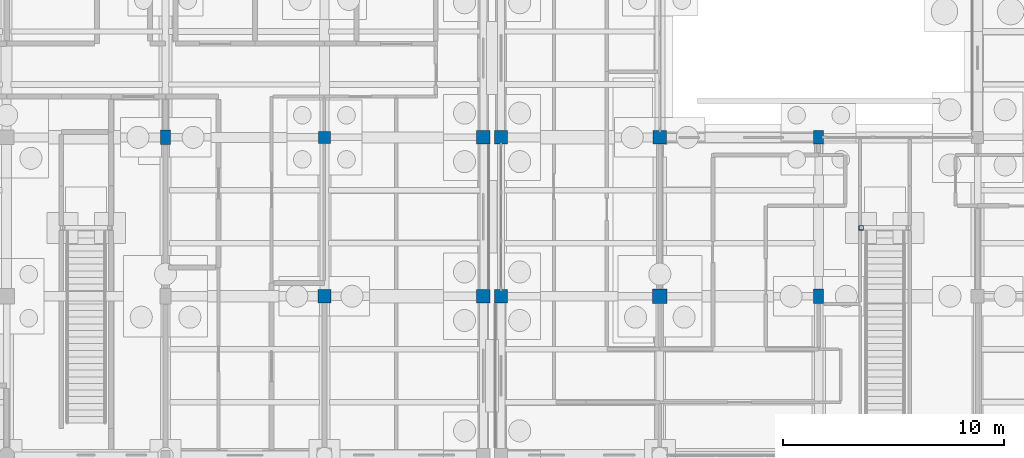
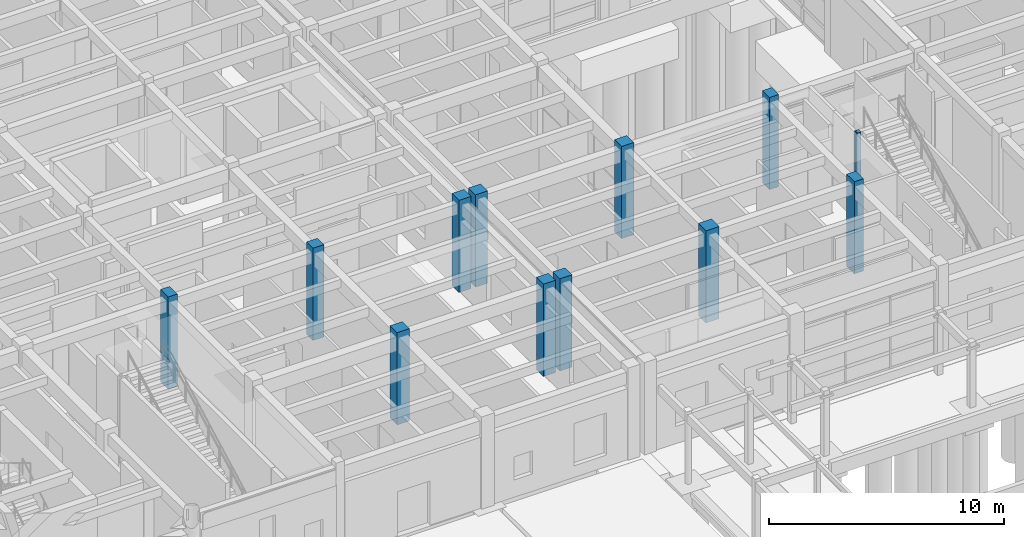
# One storey, part 23 of 143: 12 columns.
"""IFC4 building model written with IfcOpenShell, lengths in metres."""

from ifc_helpers import new_model, si_unit, direction, frame, origin, origin_2d, place, context, subcontext, project, spatial, rectangle, hollow_rectangle, extrude, material, material_profile, profile_set, type_object, element, save


model = new_model("IFC4")

# Units and contexts
model_context = context("Model", 3, precision=1e-05, world=origin(), true_north=direction((0.0, 1.0)))
body_context = subcontext(model_context, "Body", "Model", "MODEL_VIEW")
ifc_project = project(units=[si_unit("LENGTHUNIT", "METRE"), si_unit("AREAUNIT", "SQUARE_METRE"), si_unit("VOLUMEUNIT", "CUBIC_METRE"), si_unit("PLANEANGLEUNIT", "RADIAN"), si_unit("MASSUNIT", "GRAM", prefix="KILO")], contexts=[model_context])

# Site, building, storey
site_placement = place(None, origin())
site = spatial("IfcSite", under=ifc_project, at=site_placement, CompositionType="ELEMENT")
building_placement = place(site_placement, origin())
building = spatial("IfcBuilding", under=site, at=building_placement, Name="Steenspoor Specialist Clinic", CompositionType="ELEMENT")
storey_placement = place(building_placement, origin())
storey = spatial("IfcBuildingStorey", under=building, at=storey_placement, Name="L00", CompositionType="ELEMENT", Elevation=0.0)

# Columns
ifc_material_1 = material(Name="Concrete C40/50", Category="concrete")
ifc_material_profile_1 = material_profile(ifc_material_1, rectangle(XDim=0.449951171875, YDim=0.60009765625, at=origin_2d()), Name="RC-COL-450X600")
ifc_profile_set_1 = profile_set([ifc_material_profile_1], Name="Concrete C40/50")
column_type_1 = type_object("IfcColumnType", Name="COL-RC-450X600", PredefinedType="COLUMN", material=ifc_profile_set_1)
column_1_placement = place(storey_placement, frame((66.800048828125, 79.550048828125, 0.0), z_axis=(0.0, 0.0, 1.0), x_axis=(1.0, 0.0, 0.0)))
element("IfcColumn", 1, at=column_1_placement, inside=storey, type_object=column_type_1, Name="Column COL-L00-0247", PredefinedType="COLUMN", context=body_context, shape_type="SweptSolid", body=[
    extrude(rectangle(XDim=0.449951171875, YDim=0.60009765625, at=origin_2d()), origin(), (0.0, 0.0, 1.0), 4.800048828125),
])
ifc_material_profile_2 = material_profile(ifc_material_1, rectangle(XDim=0.449951171875, YDim=0.64990234375, at=origin_2d()), Name="RC-COL-450X650")
ifc_profile_set_2 = profile_set([ifc_material_profile_2], Name="Concrete C40/50")
column_type_2 = type_object("IfcColumnType", Name="COL-RC-450X650", PredefinedType="COLUMN", material=ifc_profile_set_2)
for number, where, z_axis, x_axis, name in (
    (2, (66.800048828125, 72.35009765625, 0.0), (0.0, 0.0, 1.0), (1.0, 0.0, 0.0), "Column COL-L00-0243"),
    (3, (37.199951171875, 79.550048828125, 0.0), (0.0, 0.0, 1.0), (1.0, 0.0, 0.0), "Column COL-L00-0569"),
):
    element("IfcColumn", number, at=place(storey_placement, frame(where, z_axis=z_axis, x_axis=x_axis)), inside=storey, type_object=column_type_2, Name=name, PredefinedType="COLUMN", context=body_context, shape_type="SweptSolid", body=[
        extrude(rectangle(XDim=0.449951171875, YDim=0.64990234375, at=origin_2d()), origin(), (0.0, 0.0, 1.0), 4.800048828125),
    ])
ifc_material_profile_3 = material_profile(ifc_material_1, rectangle(XDim=0.550048828125, YDim=0.550048828125, at=origin_2d()), Name="RC-COL-550X550")
ifc_profile_set_3 = profile_set([ifc_material_profile_3], Name="Concrete C40/50")
column_type_3 = type_object("IfcColumnType", Name="COL-RC-550", PredefinedType="COLUMN", material=ifc_profile_set_3)
column_2_placement = place(storey_placement, frame((44.39990234375, 79.550048828125, 0.0), z_axis=(0.0, 0.0, 1.0), x_axis=(1.0, 0.0, 0.0)))
element("IfcColumn", 4, at=column_2_placement, inside=storey, type_object=column_type_3, Name="Column COL-L00-0596", PredefinedType="COLUMN", context=body_context, shape_type="SweptSolid", body=[
    extrude(rectangle(XDim=0.550048828125, YDim=0.550048828125, at=origin_2d()), origin(), (0.0, 0.0, 1.0), 4.800048828125),
])
ifc_material_profile_4 = material_profile(ifc_material_1, rectangle(XDim=0.60009765625, YDim=0.60009765625, at=origin_2d()), Name="RC-COL-600X600")
ifc_profile_set_4 = profile_set([ifc_material_profile_4], Name="Concrete C40/50")
column_type_4 = type_object("IfcColumnType", Name="COL-RC-600", PredefinedType="COLUMN", material=ifc_profile_set_4)
for number, where, z_axis, x_axis, name in (
    (5, (52.39990234375, 72.35009765625, 0.0), (0.0, 0.0, 1.0), (1.0, 0.0, 0.0), "Column COL-L00-0183"),
    (6, (52.39990234375, 79.550048828125, 0.0), (0.0, 0.0, 1.0), (1.0, 0.0, 0.0), "Column COL-L00-0187"),
    (7, (59.60009765625, 79.550048828125, 0.0), (0.0, 0.0, 1.0), (1.0, 0.0, 0.0), "Column COL-L00-0214"),
    (8, (44.39990234375, 72.35009765625, 0.0), (0.0, 0.0, 1.0), (1.0, 0.0, 0.0), "Column COL-L00-0592"),
    (9, (51.60009765625, 72.35009765625, 0.0), (0.0, 0.0, 1.0), (1.0, 0.0, 0.0), "Column COL-L00-0619"),
    (10, (51.60009765625, 79.550048828125, 0.0), (0.0, 0.0, 1.0), (1.0, 0.0, 0.0), "Column COL-L00-0623"),
):
    element("IfcColumn", number, at=place(storey_placement, frame(where, z_axis=z_axis, x_axis=x_axis)), inside=storey, type_object=column_type_4, Name=name, PredefinedType="COLUMN", context=body_context, shape_type="SweptSolid", body=[
        extrude(rectangle(XDim=0.60009765625, YDim=0.60009765625, at=origin_2d()), origin(), (0.0, 0.0, 1.0), 4.800048828125),
    ])
ifc_material_profile_5 = material_profile(ifc_material_1, rectangle(XDim=0.64990234375, YDim=0.64990234375, at=origin_2d()), Name="RC-COL-650X650")
ifc_profile_set_5 = profile_set([ifc_material_profile_5], Name="Concrete C40/50")
column_type_5 = type_object("IfcColumnType", Name="COL-RC-650", PredefinedType="COLUMN", material=ifc_profile_set_5)
column_3_placement = place(storey_placement, frame((59.60009765625, 72.35009765625, 0.0), z_axis=(0.0, 0.0, 1.0), x_axis=(1.0, 0.0, 0.0)))
element("IfcColumn", 11, at=column_3_placement, inside=storey, type_object=column_type_5, Name="Column COL-L00-0210", PredefinedType="COLUMN", context=body_context, shape_type="SweptSolid", body=[
    extrude(rectangle(XDim=0.64990234375, YDim=0.64990234375, at=origin_2d()), origin(), (0.0, 0.0, 1.0), 4.800048828125),
])
ifc_material_2 = material(Name="Steel A500 Grade C", Category="steel")
ifc_material_profile_6 = material_profile(ifc_material_2, hollow_rectangle(XDim=0.203125, YDim=0.203125, WallThickness=0.01171875, at=origin_2d()), Name="HSS203X203X12.7")
ifc_profile_set_6 = profile_set([ifc_material_profile_6], Name="Steel A500 Grade C")
column_type_6 = type_object("IfcColumnType", Name="COL-ST-HSS203", PredefinedType="COLUMN", material=ifc_profile_set_6)
column_4_placement = place(storey_placement, frame((68.72509765625, 75.449951171875, 0.0), z_axis=(0.0, 0.0, 1.0), x_axis=(1.0, 0.0, 0.0)))
element("IfcColumn", 12, at=column_4_placement, inside=storey, type_object=column_type_6, Name="Feature Stair Post ST-F02 L", PredefinedType="COLUMN", context=body_context, shape_type="SweptSolid", body=[
    extrude(hollow_rectangle(XDim=0.203125, YDim=0.203125, WallThickness=0.01171875, at=origin_2d()), origin(), (0.0, 0.0, 1.0), 4.60009765625),
])

save(model, "model.ifc")
